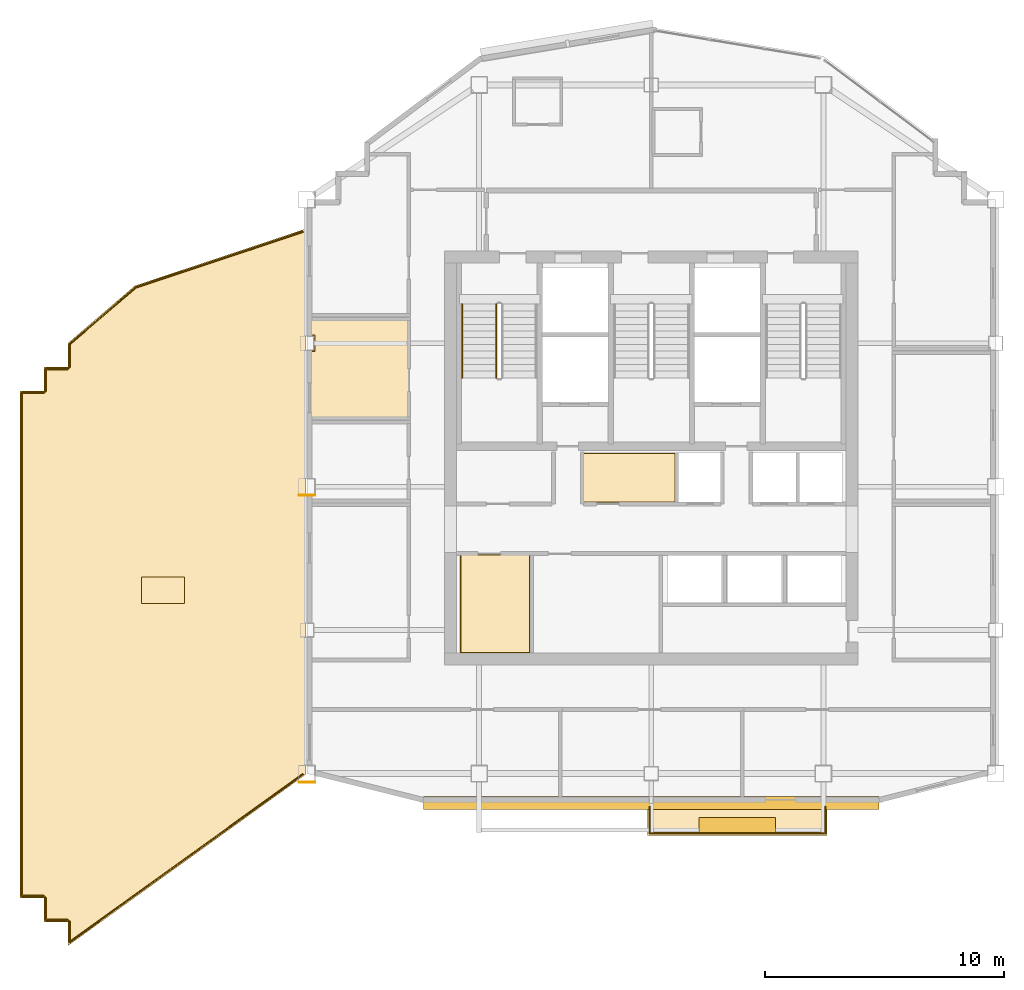
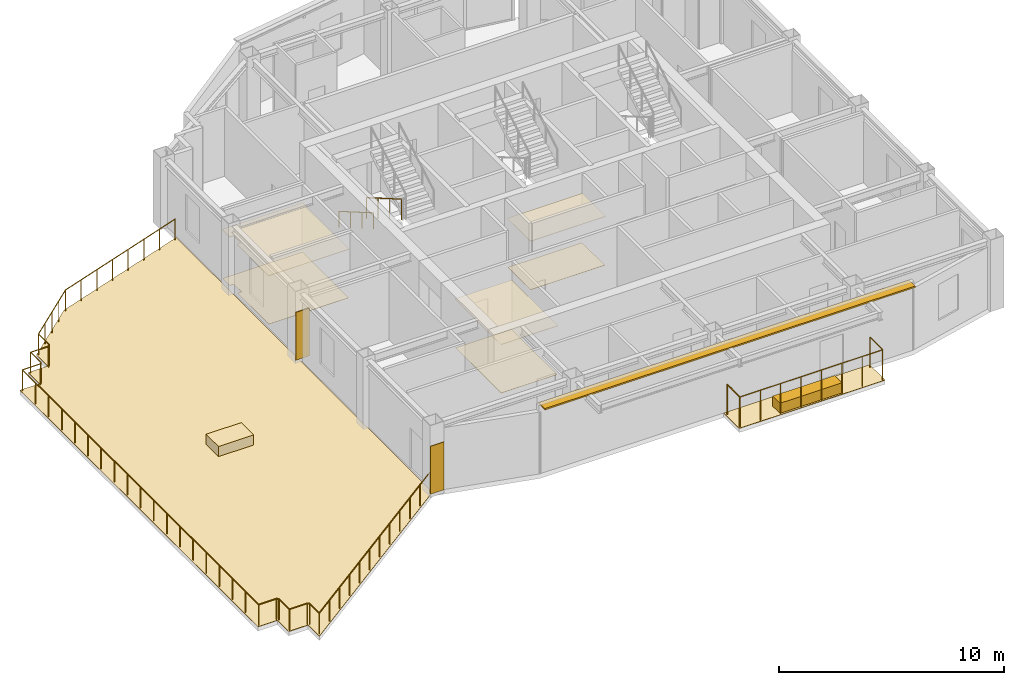
# One storey, part 11 of 12: 12 coverings, 6 railings, 1 shading device.
"""IFC4 building model written with IfcOpenShell, lengths in metres."""

import ifcopenshell
import ifcopenshell.guid

model = None  # the IFC model being written
_history = None  # IfcOwnerHistory: only IFC2X3 demands one
_inside = {}  # id of a spatial element -> (the spatial element, [elements in it])
_under = {}  # id of a project, library or spatial element -> (it, [spatial elements below it])
_declared = {}  # id of a project -> (the project, [libraries it declares])
_typed = {}  # id of a type object -> (the type object, [elements of that type])
_made_of = {}  # id of a material, layer set ... -> (it, [elements and type objects made of it])


def new_model(schema):
    """Start an empty IFC model of exactly this schema.

    Asked for "IFC4X3", IfcOpenShell would pick the latest addendum, in which some entities
    have other attributes; the version numbers below select the first issue.
    IFC2X3 requires an IfcOwnerHistory on every rooted entity: one is made here for all.
    """
    global model, _history
    if schema == "IFC4X3":
        model = ifcopenshell.file(schema_version=(4, 3, 0, 0))
    else:
        model = ifcopenshell.file(schema=schema)
    _inside.clear()
    _under.clear()
    _declared.clear()
    _typed.clear()
    _made_of.clear()
    _history = None
    if model.schema == "IFC2X3":
        org = make("IfcOrganization", Name="unknown")
        user = make(
            "IfcPersonAndOrganization",
            ThePerson=make("IfcPerson", FamilyName="unknown"),
            TheOrganization=org,
        )
        app = make(
            "IfcApplication",
            ApplicationDeveloper=org,
            Version="unknown",
            ApplicationFullName="unknown",
            ApplicationIdentifier="unknown",
        )
        _history = make(
            "IfcOwnerHistory",
            OwningUser=user,
            OwningApplication=app,
            ChangeAction="ADDED",
            CreationDate=0,
        )
    return model


def make(cls, **values):
    """One entity of the class cls with the attributes given. An attribute that is None is left unset."""
    return model.create_entity(
        cls, **{name: value for name, value in values.items() if value is not None}
    )


def rooted(cls, **values):
    """An entity with a GlobalId (a new one), such as an element, a storey or a relation."""
    return make(cls, GlobalId=ifcopenshell.guid.new(), OwnerHistory=_history, **values)


def si_unit(unit_type, name, prefix=None):
    """IfcSIUnit, for example si_unit("LENGTHUNIT", "METRE", prefix="MILLI")."""
    return make("IfcSIUnit", UnitType=unit_type, Prefix=prefix, Name=name)


def assignment(units):
    """IfcUnitAssignment: the units of a project."""
    return None if units is None else make("IfcUnitAssignment", Units=units)


def point(xyz):
    """IfcCartesianPoint."""
    return None if xyz is None else make("IfcCartesianPoint", Coordinates=xyz)


def direction(xyz):
    """IfcDirection."""
    return None if xyz is None else make("IfcDirection", DirectionRatios=xyz)


def frame(location, z_axis=None, x_axis=None):
    """IfcAxis2Placement3D, a coordinate frame: its origin and axes. An axis left out is left unset."""
    return make(
        "IfcAxis2Placement3D",
        Location=point(location),
        Axis=direction(z_axis),
        RefDirection=direction(x_axis),
    )


def frame_2d(location, x_axis=None):
    """IfcAxis2Placement2D, a coordinate frame in the plane: its origin and x axis."""
    return make(
        "IfcAxis2Placement2D", Location=point(location), RefDirection=direction(x_axis)
    )


def origin():
    """The frame at (0, 0, 0) with its axes left unset."""
    return frame((0.0, 0.0, 0.0))


def origin_2d():
    """The frame at (0, 0) in the plane with its x axis left unset."""
    return frame_2d((0.0, 0.0))


def place(relative_to, where):
    """IfcLocalPlacement: puts the frame where relative to a parent placement (None: the world)."""
    return make(
        "IfcLocalPlacement", PlacementRelTo=relative_to, RelativePlacement=where
    )


def context(
    kind, dimensions, precision=None, world=None, true_north=None, identifier=None
):
    """IfcGeometricRepresentationContext, for example the 3D "Model" context."""
    return make(
        "IfcGeometricRepresentationContext",
        ContextIdentifier=identifier,
        ContextType=kind,
        CoordinateSpaceDimension=dimensions,
        Precision=precision,
        WorldCoordinateSystem=world,
        TrueNorth=true_north,
    )


def subcontext(parent, identifier, kind, view, scale=None):
    """IfcGeometricRepresentationSubContext, for example "Body" below "Model"."""
    return make(
        "IfcGeometricRepresentationSubContext",
        ContextIdentifier=identifier,
        ContextType=kind,
        ParentContext=parent,
        TargetScale=scale,
        TargetView=view,
    )


def project(units=None, contexts=None):
    """IfcProject with its units and contexts."""
    return rooted(
        "IfcProject",
        Name="project",
        RepresentationContexts=contexts,
        UnitsInContext=assignment(units),
    )


def spatial(cls, under=None, at=None, **own):
    """A site, building, storey or space (cls), placed at a placement, below another one or the project."""
    s = rooted(cls, ObjectPlacement=at, **own)
    if under is not None:
        _under.setdefault(under.id(), (under, []))[1].append(s)
    return s


def polyline(points):
    """IfcPolyline through the points."""
    return make("IfcPolyline", Points=[point(p) for p in points])


def profile(cls, at=None, kind="AREA", **sizes):
    """A parametric profile (cls). Its sizes go by their IFC names, for example OverallWidth=200.0."""
    return make(cls, ProfileType=kind, Position=at, **sizes)


def rectangle(**sizes):
    """IfcRectangleProfileDef."""
    return profile("IfcRectangleProfileDef", **sizes)


def circle(**sizes):
    """IfcCircleProfileDef."""
    return profile("IfcCircleProfileDef", **sizes)


def outline(outer, holes=None, kind="AREA"):
    """IfcArbitraryClosedProfileDef: a profile drawn as a closed curve; with holes, ...WithVoids."""
    if holes is None:
        return make("IfcArbitraryClosedProfileDef", ProfileType=kind, OuterCurve=outer)
    return make(
        "IfcArbitraryProfileDefWithVoids",
        ProfileType=kind,
        OuterCurve=outer,
        InnerCurves=holes,
    )


def extrude(swept, where, along, depth):
    """IfcExtrudedAreaSolid: the profile swept, set in the frame where, extruded along a direction by depth."""
    return make(
        "IfcExtrudedAreaSolid",
        SweptArea=swept,
        Position=where,
        ExtrudedDirection=direction(along),
        Depth=depth,
    )


def shape(context_of_items, identifier, shape_type, items):
    """IfcShapeRepresentation: the items that make up one representation, for example the "Body"."""
    return make(
        "IfcShapeRepresentation",
        ContextOfItems=context_of_items,
        RepresentationIdentifier=identifier,
        RepresentationType=shape_type,
        Items=items,
    )


def material(Name=None, Category=None):
    """IfcMaterial."""
    return make("IfcMaterial", Name=Name, Category=Category)


def layer(
    of_material, thickness, ventilated=None, Name=None, Category=None, Priority=None
):
    """IfcMaterialLayer: one layer of a wall or slab, of a material (None: an air gap)."""
    return make(
        "IfcMaterialLayer",
        Material=of_material,
        LayerThickness=thickness,
        IsVentilated=ventilated,
        Name=Name,
        Category=Category,
        Priority=Priority,
    )


def layer_set(layers, Name=None):
    """IfcMaterialLayerSet."""
    return make("IfcMaterialLayerSet", MaterialLayers=layers, LayerSetName=Name)


def made_of(thing, what):
    """Note that an element or type object is made of a material, layer set ...; save() writes the relation."""
    if what is not None:
        _made_of.setdefault(what.id(), (what, []))[1].append(thing)
    return thing


def type_object(cls, material=None, **own):
    """A type object (cls), such as IfcWallType, which elements share."""
    return made_of(rooted(cls, **own), material)


def element(
    cls,
    number,
    at=None,
    inside=None,
    cuts=None,
    type_object=None,
    material=None,
    context=None,
    identifier="Body",
    shape_type=None,
    held_by="IfcProductDefinitionShape",
    body=None,
    shapes=None,
    **own,
):
    """One element of the class cls, such as IfcWall. Its Tag is "e" and its number.

    at: its placement. inside: the storey or other place that contains it. cuts: it is an
    opening in that element (IfcRelVoidsElement). A single representation is given by context,
    identifier, shape_type and body (its items); several are given by shapes. held_by: the class
    of the entity that holds the representations. save() writes the other relations.
    """
    e = rooted(cls, Tag="e%d" % number, ObjectPlacement=at, **own)
    if body is not None:
        shapes = [shape(context, identifier, shape_type, body)]
    if shapes is not None:
        e.Representation = make(held_by, Representations=shapes)
    if inside is not None:
        _inside.setdefault(inside.id(), (inside, []))[1].append(e)
    if cuts is not None:
        rooted(
            "IfcRelVoidsElement", RelatingBuildingElement=cuts, RelatedOpeningElement=e
        )
    if type_object is not None:
        _typed.setdefault(type_object.id(), (type_object, []))[1].append(e)
    return made_of(e, material)


def aggregate(whole, parts):
    """IfcRelAggregates: a whole, such as a stair, and the parts it consists of."""
    return rooted("IfcRelAggregates", RelatingObject=whole, RelatedObjects=parts)


def save(model, path):
    """Write the relations noted so far, then the file.

    IfcRelAggregates (storeys below a building ...), IfcRelContainedInSpatialStructure (elements
    in a storey), IfcRelDefinesByType, IfcRelAssociatesMaterial and IfcRelDeclares: one each for
    every whole, place, type object, material and project.
    """
    for whole, parts in _under.values():
        aggregate(whole, parts)
    for where, things in _inside.values():
        rooted(
            "IfcRelContainedInSpatialStructure",
            RelatedElements=things,
            RelatingStructure=where,
        )
    for kind, things in _typed.values():
        rooted("IfcRelDefinesByType", RelatedObjects=things, RelatingType=kind)
    for what, things in _made_of.values():
        rooted("IfcRelAssociatesMaterial", RelatedObjects=things, RelatingMaterial=what)
    for by, libraries in _declared.values():
        rooted("IfcRelDeclares", RelatingContext=by, RelatedDefinitions=libraries)
    model.write(path)


model = new_model("IFC4")

# Units and contexts
model_context = context("Model", 3, precision=1e-05, world=origin(), true_north=direction((0.0, 1.0)))
body_context = subcontext(model_context, "Body", "Model", "MODEL_VIEW")
ifc_project = project(units=[si_unit("LENGTHUNIT", "METRE"), si_unit("AREAUNIT", "SQUARE_METRE"), si_unit("VOLUMEUNIT", "CUBIC_METRE"), si_unit("PLANEANGLEUNIT", "RADIAN"), si_unit("MASSUNIT", "GRAM", prefix="KILO")], contexts=[model_context])

# Site, building, storey
site_placement = place(None, origin())
site = spatial("IfcSite", under=ifc_project, at=site_placement, CompositionType="ELEMENT")
building_placement = place(site_placement, origin())
building = spatial("IfcBuilding", under=site, at=building_placement, Name="Haolan Belvedere Tower", CompositionType="ELEMENT")
storey_placement = place(building_placement, frame((0.0, 0.0, 282.199951171875)))
storey = spatial("IfcBuildingStorey", under=building, at=storey_placement, Name="L71", CompositionType="ELEMENT", Elevation=282.199951171875)

# Coverings
ifc_material_1 = material(Name="Acoustic mineral-fibre suspended ceiling system", Category="masonry")
ifc_layer_1 = layer(ifc_material_1, 0.02490234375, Name="Acoustic mineral-fibre suspended ceiling system")
ifc_layer_set_1 = layer_set([ifc_layer_1], Name="Acoustic mineral-fibre suspended ceiling system")
covering_type_1 = type_object("IfcCoveringType", Name="COV-CEIL-AC25", PredefinedType="CEILING", material=ifc_layer_set_1)
covering_1_placement = place(storey_placement, frame((0.0, 0.0, 2.650146484375)))
element("IfcCovering", 1, at=covering_1_placement, inside=storey, type_object=covering_type_1, Name="L71 suspended acoustic ceiling L71-REUSE-PL-E.1", PredefinedType="CEILING", context=body_context, shape_type="SweptSolid", body=[
    extrude(outline(polyline([(35.548095703125, 32.93798828125), (39.412109375, 32.93798828125), (39.412109375, 35.011962890625), (35.548095703125, 35.011962890625), (35.548095703125, 32.93798828125)])), origin(), (0.0, 0.0, 1.0), 0.02490234375),
])
covering_2_placement = place(storey_placement, frame((0.0, 0.0, 2.650146484375)))
element("IfcCovering", 2, at=covering_2_placement, inside=storey, type_object=covering_type_1, Name="L71 suspended acoustic ceiling L71-REUSE-PM-A.2", PredefinedType="CEILING", context=body_context, shape_type="SweptSolid", body=[
    extrude(outline(polyline([(30.407958984375, 26.64794921875), (33.33203125, 26.64794921875), (33.33203125, 30.761962890625), (30.407958984375, 30.761962890625), (30.407958984375, 26.64794921875)])), origin(), (0.0, 0.0, 1.0), 0.02490234375),
])
covering_3_placement = place(storey_placement, frame((0.0, 0.0, 2.650146484375)))
element("IfcCovering", 3, at=covering_3_placement, inside=storey, type_object=covering_type_1, Name="L71 suspended acoustic ceiling L71-PNT.3", PredefinedType="CEILING", context=body_context, shape_type="SweptSolid", body=[
    extrude(outline(polyline([(24.117919921875, 39.9150390625), (24.31494140625, 39.9150390625), (24.31494140625, 39.284912109375), (24.117919921875, 39.284912109375), (24.117919921875, 36.447998046875), (28.27197265625, 36.447998046875), (28.27197265625, 40.612060546875), (24.117919921875, 40.612060546875), (24.117919921875, 39.9150390625)])), origin(), (0.0, 0.0, 1.0), 0.02490234375),
])
ifc_material_2 = material(Name="Pale champagne-silver anodised aluminium rainscreen cladding", Category="aluminium")
ifc_layer_2 = layer(ifc_material_2, 0.034912109375, Name="Pale champagne-silver anodised aluminium rainscreen cladding")
ifc_layer_set_2 = layer_set([ifc_layer_2], Name="Pale champagne-silver anodised aluminium rainscreen cladding")
covering_type_2 = type_object("IfcCoveringType", Name="COV-CLAD-35", PredefinedType="CLADDING", material=ifc_layer_set_2)
for number, where, z_axis, x_axis, name in (
    (4, (24.0, 21.235107421875, 0.199951171875), (0.0, 0.0, 1.0), (1.0, 0.0, 0.0), "L71 pale-metal pier rainscreen cladding 1"),
    (5, (24.0, 33.235107421875, 0.199951171875), (0.0, 0.0, 1.0), (1.0, 0.0, 0.0), "L71 pale-metal pier rainscreen cladding 2"),
):
    element("IfcCovering", number, at=place(storey_placement, frame(where, z_axis=z_axis, x_axis=x_axis)), inside=storey, type_object=covering_type_2, Name=name, PredefinedType="CLADDING", context=body_context, shape_type="SweptSolid", body=[
        extrude(rectangle(XDim=0.699951171875, YDim=0.034912109375, at=origin_2d()), origin(), (0.0, 0.0, 1.0), 2.60009765625),
    ])
ifc_material_3 = material(Name="Honed terrazzo and natural granite stone flooring", Category="masonry")
ifc_layer_3 = layer(ifc_material_3, 0.014892578125, Name="Honed terrazzo and natural granite stone flooring")
ifc_layer_set_3 = layer_set([ifc_layer_3], Name="Honed terrazzo and natural granite stone flooring")
covering_type_3 = type_object("IfcCoveringType", Name="COV-FLR-STN30", PredefinedType="FLOORING", material=ifc_layer_set_3)
covering_4_placement = place(storey_placement, origin())
element("IfcCovering", 6, at=covering_4_placement, inside=storey, type_object=covering_type_3, Name="L71 polished stone floor finish L71-REUSE-PL-E.1", PredefinedType="FLOORING", context=body_context, shape_type="SweptSolid", body=[
    extrude(outline(polyline([(39.386962890625, 32.962890625), (39.386962890625, 34.987060546875), (35.572998046875, 34.987060546875), (35.572998046875, 32.962890625), (39.386962890625, 32.962890625)])), origin(), (0.0, 0.0, 1.0), 0.01513671875),
])
covering_5_placement = place(storey_placement, origin())
element("IfcCovering", 7, at=covering_5_placement, inside=storey, type_object=covering_type_3, Name="L71 polished stone floor finish L71-REUSE-PM-A.2", PredefinedType="FLOORING", context=body_context, shape_type="SweptSolid", body=[
    extrude(outline(polyline([(33.306884765625, 26.673095703125), (33.306884765625, 30.737060546875), (30.43310546875, 30.737060546875), (30.43310546875, 26.673095703125), (33.306884765625, 26.673095703125)])), origin(), (0.0, 0.0, 1.0), 0.01513671875),
])
covering_6_placement = place(storey_placement, origin())
element("IfcCovering", 8, at=covering_6_placement, inside=storey, type_object=covering_type_3, Name="L71 polished stone floor finish L71-PNT.3", PredefinedType="FLOORING", context=body_context, shape_type="SweptSolid", body=[
    extrude(outline(polyline([(24.340087890625, 39.93994140625), (24.340087890625, 39.260009765625), (24.14306640625, 39.260009765625), (24.14306640625, 36.472900390625), (28.2470703125, 36.472900390625), (28.2470703125, 40.5869140625), (24.14306640625, 40.5869140625), (24.14306640625, 39.93994140625), (24.340087890625, 39.93994140625)])), origin(), (0.0, 0.0, 1.0), 0.01513671875),
])
ifc_material_4 = material(Name="Engineered lightweight planted garden soil substrate", Category="masonry")
ifc_layer_4 = layer(ifc_material_4, 0.550048828125, Name="Engineered lightweight planted garden soil substrate")
ifc_layer_set_4 = layer_set([ifc_layer_4], Name="Engineered lightweight planted garden soil substrate")
covering_type_4 = type_object("IfcCoveringType", Name="COV-PLANT-550", PredefinedType="MEMBRANE", material=ifc_layer_set_4)
covering_7_placement = place(storey_placement, frame((17.97509765625, 29.26171875, 0.0), z_axis=(0.0, 0.0, 1.0), x_axis=(1.0, 0.0, 0.0)))
element("IfcCovering", 9, at=covering_7_placement, inside=storey, type_object=covering_type_4, Name="L71 cascade garden terrace PLANTER bed 1", PredefinedType="MEMBRANE", context=body_context, shape_type="SweptSolid", body=[
    extrude(rectangle(XDim=1.800048828125, YDim=1.10009765625, at=origin_2d()), origin(), (0.0, 0.0, 1.0), 0.550048828125),
])
covering_8_placement = place(storey_placement, frame((42.0, 19.43994140625, 0.0), z_axis=(0.0, 0.0, 1.0), x_axis=(1.0, 0.0, 0.0)))
element("IfcCovering", 10, at=covering_8_placement, inside=storey, type_object=covering_type_4, Name="L71 structural tree balcony PLANTER box 1", PredefinedType="MEMBRANE", context=body_context, shape_type="SweptSolid", body=[
    extrude(rectangle(XDim=3.199951171875, YDim=0.64990234375, at=origin_2d()), origin(), (0.0, 0.0, 1.0), 0.550048828125),
])
ifc_material_5 = material(Name="Elastomeric waterproof roofing membrane and stone pavers", Category="masonry")
ifc_layer_5 = layer(ifc_material_5, 0.02001953125, Name="Elastomeric waterproof roofing membrane and stone pavers")
ifc_layer_set_5 = layer_set([ifc_layer_5], Name="Elastomeric waterproof roofing membrane and stone pavers")
covering_type_5 = type_object("IfcCoveringType", Name="COV-ROOF-20", PredefinedType="ROOFING", material=ifc_layer_set_5)
covering_9_placement = place(storey_placement, frame((0.0, 0.0, -0.02001953125)))
element("IfcCovering", 11, at=covering_9_placement, inside=storey, type_object=covering_type_5, Name="L71 garden terrace waterproof roofing paver 1", PredefinedType="ROOFING", context=body_context, shape_type="SweptSolid", body=[
    extrude(outline(polyline([(13.0, 16.396240234375), (13.0, 15.39990234375), (13.996337890625, 15.39990234375), (13.999755859375, 15.39990234375), (14.0, 15.396240234375), (14.0, 14.39990234375), (23.949951171875, 21.56396484375), (23.949951171875, 44.38330078125), (16.800048828125, 42.0), (14.0, 39.60009765625), (14.0, 38.603759765625), (13.999755859375, 38.60009765625), (13.996337890625, 38.60009765625), (13.0, 38.60009765625), (13.0, 37.603759765625), (12.999755859375, 37.60009765625), (12.996337890625, 37.60009765625), (12.0, 37.60009765625), (12.0, 16.39990234375), (12.996337890625, 16.39990234375), (12.999755859375, 16.39990234375), (13.0, 16.396240234375)])), origin(), (0.0, 0.0, 1.0), 0.02001953125),
])
covering_10_placement = place(storey_placement, frame((0.0, 0.0, -0.02001953125)))
element("IfcCovering", 12, at=covering_10_placement, inside=storey, type_object=covering_type_5, Name="L71 tree-balcony waterproof membrane 1", PredefinedType="ROOFING", context=body_context, shape_type="SweptSolid", body=[
    extrude(outline(polyline([(38.25, 19.02001953125), (45.75, 19.02001953125), (45.75, 20.39990234375), (38.25, 20.39990234375), (38.25, 19.02001953125)])), origin(), (0.0, 0.0, 1.0), 0.02001953125),
])

# Railings
ifc_material_6 = material(Name="Brushed stainless steel 304", Category="steel")
railing_type_1 = type_object("IfcRailingType", Name="RL-STAIR-GRD-1150", PredefinedType="GUARDRAIL", material=ifc_material_6)
railing_1_placement = place(storey_placement, frame((31.919921875, 41.22998046875, 0.16259765625)))
element("IfcRailing", 13, at=railing_1_placement, inside=storey, type_object=railing_type_1, Name="L71 ST1 stair guard 1", PredefinedType="GUARDRAIL", context=body_context, shape_type="SweptSolid", body=[
    extrude(circle(Radius=0.02392578125, at=origin_2d()), frame((0.0, 0.0, 1.1259765625), z_axis=(0.0, -0.864920483161, 0.501908913857), x_axis=(1.0, 0.0, 0.0)), (0.0, 0.0, 1.0), 3.56103515625),
    extrude(circle(Radius=0.02099609375, at=origin_2d()), origin(), (0.0, 0.0, 1.0), 1.101806640625),
    extrude(circle(Radius=0.02099609375, at=origin_2d()), frame((0.0, -1.026611328125, 0.595703125)), (0.0, 0.0, 1.0), 1.101806640625),
    extrude(circle(Radius=0.02099609375, at=origin_2d()), frame((0.0, -2.053466796875, 1.191650390625)), (0.0, 0.0, 1.0), 1.101806640625),
    extrude(circle(Radius=0.02099609375, at=origin_2d()), frame((0.0, -3.080078125, 1.787353515625)), (0.0, 0.0, 1.0), 1.101806640625),
])
railing_type_2 = type_object("IfcRailingType", Name="RL-STAIR-HND-900", PredefinedType="HANDRAIL", material=ifc_material_6)
railing_2_placement = place(storey_placement, frame((30.5, 41.22998046875, 0.16259765625)))
element("IfcRailing", 14, at=railing_2_placement, inside=storey, type_object=railing_type_2, Name="L71 ST1 stair handrail 1", PredefinedType="HANDRAIL", context=body_context, shape_type="SweptSolid", body=[
    extrude(circle(Radius=0.02392578125, at=origin_2d()), frame((0.0, 0.0, 0.8759765625), z_axis=(0.0, -0.864920483161, 0.501908913857), x_axis=(1.0, 0.0, 0.0)), (0.0, 0.0, 1.0), 3.56103515625),
    extrude(circle(Radius=0.02099609375, at=origin_2d()), origin(), (0.0, 0.0, 1.0), 0.851806640625),
    extrude(circle(Radius=0.02099609375, at=origin_2d()), frame((0.0, -1.026611328125, 0.595703125)), (0.0, 0.0, 1.0), 0.851806640625),
    extrude(circle(Radius=0.02099609375, at=origin_2d()), frame((0.0, -2.053466796875, 1.191650390625)), (0.0, 0.0, 1.0), 0.851806640625),
    extrude(circle(Radius=0.02099609375, at=origin_2d()), frame((0.0, -3.080078125, 1.787353515625)), (0.0, 0.0, 1.0), 0.851806640625),
])
ifc_material_7 = material(Name="Anodised aluminium and laminated glass balustrade", Category="aluminium")
railing_type_3 = type_object("IfcRailingType", Name="RL-TER-BAL-1150", PredefinedType="BALUSTRADE", material=ifc_material_7)
railing_3_placement = place(storey_placement, frame((13.080078125, 16.398681640625, 0.0)))
element("IfcRailing", 15, at=railing_3_placement, inside=storey, type_object=railing_type_3, Name="L71 outdoor perimeter balustrade TERR-L71-1-1", PredefinedType="BALUSTRADE", context=body_context, shape_type="SweptSolid", body=[
    extrude(circle(Radius=0.02392578125, at=origin_2d()), frame((0.0, 0.0, 1.1259765625), z_axis=(-0.708166115403, 0.706045857572, 0.0), x_axis=(-0.706045857572, -0.708166115403, 0.0)), (0.0, 0.0, 1.0), 0.115234375),
    extrude(circle(Radius=0.02392578125, at=origin_2d()), frame((-0.08154296875, 0.081298828125, 1.1259765625), z_axis=(-1.0, 0.0, 0.0), x_axis=(0.0, -1.0, 0.0)), (0.0, 0.0, 1.0), 0.91845703125),
    extrude(circle(Radius=0.02392578125, at=origin_2d()), frame((-1.0, 0.081298828125, 1.1259765625), z_axis=(0.0, 1.0, 0.0), x_axis=(-1.0, 0.0, 0.0)), (0.0, 0.0, 1.0), 21.0400390625),
    extrude(circle(Radius=0.02392578125, at=origin_2d()), frame((-1.0, 21.121337890625, 1.1259765625), z_axis=(1.0, 0.0, 0.0), x_axis=(0.0, 1.0, 0.0)), (0.0, 0.0, 1.0), 0.91845703125),
    extrude(circle(Radius=0.02392578125, at=origin_2d()), frame((-0.08154296875, 21.121337890625, 1.1259765625), z_axis=(0.708166115403, 0.706045857572, 0.0), x_axis=(-0.706045857572, 0.708166115403, 0.0)), (0.0, 0.0, 1.0), 0.115234375),
    extrude(circle(Radius=0.02392578125, at=origin_2d()), frame((0.0, 21.20263671875, 1.1259765625), z_axis=(0.0, 1.0, 0.0), x_axis=(-1.0, 0.0, 0.0)), (0.0, 0.0, 1.0), 0.918701171875),
    extrude(circle(Radius=0.02392578125, at=origin_2d()), frame((0.0, 22.121337890625, 1.1259765625), z_axis=(1.0, 0.0, 0.0), x_axis=(0.0, 1.0, 0.0)), (0.0, 0.0, 1.0), 0.91845703125),
    extrude(circle(Radius=0.02392578125, at=origin_2d()), frame((0.91845703125, 22.121337890625, 1.1259765625), z_axis=(0.708166115403, 0.706045857572, 0.0), x_axis=(-0.706045857572, 0.708166115403, 0.0)), (0.0, 0.0, 1.0), 0.115234375),
    extrude(circle(Radius=0.02392578125, at=origin_2d()), frame((1.0, 22.20263671875, 1.1259765625), z_axis=(0.0, 1.0, 0.0), x_axis=(-1.0, 0.0, 0.0)), (0.0, 0.0, 1.0), 0.9619140625),
    extrude(circle(Radius=0.02392578125, at=origin_2d()), frame((1.0, 23.16455078125, 1.1259765625), z_axis=(0.759223417328, 0.650830087335, 0.0), x_axis=(-0.650830087335, 0.759223417328, 0.0)), (0.0, 0.0, 1.0), 3.63525390625),
    extrude(circle(Radius=0.02392578125, at=origin_2d()), frame((3.760009765625, 25.530517578125, 1.1259765625), z_axis=(0.948693252389, 0.316197901435, 0.0), x_axis=(-0.316197901435, 0.948693252389, 0.0)), (0.0, 0.0, 1.0), 7.357421875),
    extrude(circle(Radius=0.02099609375, at=origin_2d()), origin(), (0.0, 0.0, 1.0), 1.101806640625),
    extrude(circle(Radius=0.02099609375, at=origin_2d()), frame((-0.08154296875, 0.081298828125, 0.0)), (0.0, 0.0, 1.0), 1.101806640625),
    extrude(circle(Radius=0.02099609375, at=origin_2d()), frame((-1.0, 0.081298828125, 0.0)), (0.0, 0.0, 1.0), 1.101806640625),
    extrude(circle(Radius=0.02099609375, at=origin_2d()), frame((-1.0, 1.250244140625, 0.0)), (0.0, 0.0, 1.0), 1.101806640625),
    extrude(circle(Radius=0.02099609375, at=origin_2d()), frame((-1.0, 2.419189453125, 0.0)), (0.0, 0.0, 1.0), 1.101806640625),
    extrude(circle(Radius=0.02099609375, at=origin_2d()), frame((-1.0, 3.587890625, 0.0)), (0.0, 0.0, 1.0), 1.101806640625),
    extrude(circle(Radius=0.02099609375, at=origin_2d()), frame((-1.0, 4.7568359375, 0.0)), (0.0, 0.0, 1.0), 1.101806640625),
    extrude(circle(Radius=0.02099609375, at=origin_2d()), frame((-1.0, 5.92578125, 0.0)), (0.0, 0.0, 1.0), 1.101806640625),
    extrude(circle(Radius=0.02099609375, at=origin_2d()), frame((-1.0, 7.0947265625, 0.0)), (0.0, 0.0, 1.0), 1.101806640625),
    extrude(circle(Radius=0.02099609375, at=origin_2d()), frame((-1.0, 8.263427734375, 0.0)), (0.0, 0.0, 1.0), 1.101806640625),
    extrude(circle(Radius=0.02099609375, at=origin_2d()), frame((-1.0, 9.432373046875, 0.0)), (0.0, 0.0, 1.0), 1.101806640625),
    extrude(circle(Radius=0.02099609375, at=origin_2d()), frame((-1.0, 10.601318359375, 0.0)), (0.0, 0.0, 1.0), 1.101806640625),
    extrude(circle(Radius=0.02099609375, at=origin_2d()), frame((-1.0, 11.770263671875, 0.0)), (0.0, 0.0, 1.0), 1.101806640625),
    extrude(circle(Radius=0.02099609375, at=origin_2d()), frame((-1.0, 12.939208984375, 0.0)), (0.0, 0.0, 1.0), 1.101806640625),
    extrude(circle(Radius=0.02099609375, at=origin_2d()), frame((-1.0, 14.10791015625, 0.0)), (0.0, 0.0, 1.0), 1.101806640625),
    extrude(circle(Radius=0.02099609375, at=origin_2d()), frame((-1.0, 15.27685546875, 0.0)), (0.0, 0.0, 1.0), 1.101806640625),
    extrude(circle(Radius=0.02099609375, at=origin_2d()), frame((-1.0, 16.44580078125, 0.0)), (0.0, 0.0, 1.0), 1.101806640625),
    extrude(circle(Radius=0.02099609375, at=origin_2d()), frame((-1.0, 17.61474609375, 0.0)), (0.0, 0.0, 1.0), 1.101806640625),
    extrude(circle(Radius=0.02099609375, at=origin_2d()), frame((-1.0, 18.783447265625, 0.0)), (0.0, 0.0, 1.0), 1.101806640625),
    extrude(circle(Radius=0.02099609375, at=origin_2d()), frame((-1.0, 19.952392578125, 0.0)), (0.0, 0.0, 1.0), 1.101806640625),
    extrude(circle(Radius=0.02099609375, at=origin_2d()), frame((-1.0, 21.121337890625, 0.0)), (0.0, 0.0, 1.0), 1.101806640625),
    extrude(circle(Radius=0.02099609375, at=origin_2d()), frame((-0.08154296875, 21.121337890625, 0.0)), (0.0, 0.0, 1.0), 1.101806640625),
    extrude(circle(Radius=0.02099609375, at=origin_2d()), frame((0.0, 21.20263671875, 0.0)), (0.0, 0.0, 1.0), 1.101806640625),
    extrude(circle(Radius=0.02099609375, at=origin_2d()), frame((0.0, 22.121337890625, 0.0)), (0.0, 0.0, 1.0), 1.101806640625),
    extrude(circle(Radius=0.02099609375, at=origin_2d()), frame((0.91845703125, 22.121337890625, 0.0)), (0.0, 0.0, 1.0), 1.101806640625),
    extrude(circle(Radius=0.02099609375, at=origin_2d()), frame((1.0, 22.20263671875, 0.0)), (0.0, 0.0, 1.0), 1.101806640625),
    extrude(circle(Radius=0.02099609375, at=origin_2d()), frame((1.0, 23.16455078125, 0.0)), (0.0, 0.0, 1.0), 1.101806640625),
    extrude(circle(Radius=0.02099609375, at=origin_2d()), frame((1.68994140625, 23.756103515625, 0.0)), (0.0, 0.0, 1.0), 1.101806640625),
    extrude(circle(Radius=0.02099609375, at=origin_2d()), frame((2.3798828125, 24.34765625, 0.0)), (0.0, 0.0, 1.0), 1.101806640625),
    extrude(circle(Radius=0.02099609375, at=origin_2d()), frame((3.070068359375, 24.93896484375, 0.0)), (0.0, 0.0, 1.0), 1.101806640625),
    extrude(circle(Radius=0.02099609375, at=origin_2d()), frame((3.760009765625, 25.530517578125, 0.0)), (0.0, 0.0, 1.0), 1.101806640625),
    extrude(circle(Radius=0.02099609375, at=origin_2d()), frame((4.757080078125, 25.86279296875, 0.0)), (0.0, 0.0, 1.0), 1.101806640625),
    extrude(circle(Radius=0.02099609375, at=origin_2d()), frame((5.75439453125, 26.1953125, 0.0)), (0.0, 0.0, 1.0), 1.101806640625),
    extrude(circle(Radius=0.02099609375, at=origin_2d()), frame((6.75146484375, 26.527587890625, 0.0)), (0.0, 0.0, 1.0), 1.101806640625),
    extrude(circle(Radius=0.02099609375, at=origin_2d()), frame((7.74853515625, 26.85986328125, 0.0)), (0.0, 0.0, 1.0), 1.101806640625),
    extrude(circle(Radius=0.02099609375, at=origin_2d()), frame((8.74560546875, 27.192138671875, 0.0)), (0.0, 0.0, 1.0), 1.101806640625),
    extrude(circle(Radius=0.02099609375, at=origin_2d()), frame((9.742919921875, 27.524658203125, 0.0)), (0.0, 0.0, 1.0), 1.101806640625),
    extrude(circle(Radius=0.02099609375, at=origin_2d()), frame((10.739990234375, 27.85693359375, 0.0)), (0.0, 0.0, 1.0), 1.101806640625),
])
railing_4_placement = place(storey_placement, frame((23.820068359375, 21.569091796875, 0.0)))
element("IfcRailing", 16, at=railing_4_placement, inside=storey, type_object=railing_type_3, Name="L71 outdoor perimeter balustrade TERR-L71-1-2", PredefinedType="BALUSTRADE", context=body_context, shape_type="SweptSolid", body=[
    extrude(circle(Radius=0.02392578125, at=origin_2d()), frame((0.0, 0.0, 1.1259765625), z_axis=(-0.81152855402, -0.584312763861, 0.0), x_axis=(0.584312763861, -0.81152855402, 0.0)), (0.0, 0.0, 1.0), 12.001953125),
    extrude(circle(Radius=0.02392578125, at=origin_2d()), frame((-9.739990234375, -7.012939453125, 1.1259765625), z_axis=(0.0, 1.0, 0.0), x_axis=(-1.0, 0.0, 0.0)), (0.0, 0.0, 1.0), 0.842529296875),
    extrude(circle(Radius=0.02392578125, at=origin_2d()), frame((-9.739990234375, -6.17041015625, 1.1259765625), z_axis=(-0.708166115403, 0.706045857572, 0.0), x_axis=(-0.706045857572, -0.708166115403, 0.0)), (0.0, 0.0, 1.0), 0.115234375),
    extrude(circle(Radius=0.02392578125, at=origin_2d()), frame((-9.821533203125, -6.089111328125, 1.1259765625), z_axis=(-1.0, 0.0, 0.0), x_axis=(0.0, -1.0, 0.0)), (0.0, 0.0, 1.0), 0.91845703125),
    extrude(circle(Radius=0.02392578125, at=origin_2d()), frame((-10.739990234375, -6.089111328125, 1.1259765625), z_axis=(0.0, 1.0, 0.0), x_axis=(-1.0, 0.0, 0.0)), (0.0, 0.0, 1.0), 0.918701171875),
    extrude(circle(Radius=0.02099609375, at=origin_2d()), origin(), (0.0, 0.0, 1.0), 1.101806640625),
    extrude(circle(Radius=0.02099609375, at=origin_2d()), frame((-0.885498046875, -0.637451171875, 0.0)), (0.0, 0.0, 1.0), 1.101806640625),
    extrude(circle(Radius=0.02099609375, at=origin_2d()), frame((-1.77099609375, -1.275146484375, 0.0)), (0.0, 0.0, 1.0), 1.101806640625),
    extrude(circle(Radius=0.02099609375, at=origin_2d()), frame((-2.65625, -1.91259765625, 0.0)), (0.0, 0.0, 1.0), 1.101806640625),
    extrude(circle(Radius=0.02099609375, at=origin_2d()), frame((-3.541748046875, -2.550048828125, 0.0)), (0.0, 0.0, 1.0), 1.101806640625),
    extrude(circle(Radius=0.02099609375, at=origin_2d()), frame((-4.42724609375, -3.187744140625, 0.0)), (0.0, 0.0, 1.0), 1.101806640625),
    extrude(circle(Radius=0.02099609375, at=origin_2d()), frame((-5.312744140625, -3.8251953125, 0.0)), (0.0, 0.0, 1.0), 1.101806640625),
    extrude(circle(Radius=0.02099609375, at=origin_2d()), frame((-6.1982421875, -4.462890625, 0.0)), (0.0, 0.0, 1.0), 1.101806640625),
    extrude(circle(Radius=0.02099609375, at=origin_2d()), frame((-7.083740234375, -5.100341796875, 0.0)), (0.0, 0.0, 1.0), 1.101806640625),
    extrude(circle(Radius=0.02099609375, at=origin_2d()), frame((-7.968994140625, -5.73779296875, 0.0)), (0.0, 0.0, 1.0), 1.101806640625),
    extrude(circle(Radius=0.02099609375, at=origin_2d()), frame((-8.8544921875, -6.37548828125, 0.0)), (0.0, 0.0, 1.0), 1.101806640625),
    extrude(circle(Radius=0.02099609375, at=origin_2d()), frame((-9.739990234375, -7.012939453125, 0.0)), (0.0, 0.0, 1.0), 1.101806640625),
    extrude(circle(Radius=0.02099609375, at=origin_2d()), frame((-9.739990234375, -6.17041015625, 0.0)), (0.0, 0.0, 1.0), 1.101806640625),
    extrude(circle(Radius=0.02099609375, at=origin_2d()), frame((-9.821533203125, -6.089111328125, 0.0)), (0.0, 0.0, 1.0), 1.101806640625),
    extrude(circle(Radius=0.02099609375, at=origin_2d()), frame((-10.739990234375, -6.089111328125, 0.0)), (0.0, 0.0, 1.0), 1.101806640625),
    extrude(circle(Radius=0.02099609375, at=origin_2d()), frame((-10.739990234375, -5.17041015625, 0.0)), (0.0, 0.0, 1.0), 1.101806640625),
])
railing_5_placement = place(storey_placement, frame((38.330078125, 19.10009765625, 0.0)))
element("IfcRailing", 17, at=railing_5_placement, inside=storey, type_object=railing_type_3, Name="L71 outdoor perimeter balustrade BAL-L71-1-1", PredefinedType="BALUSTRADE", context=body_context, shape_type="SweptSolid", body=[
    extrude(circle(Radius=0.02392578125, at=origin_2d()), frame((0.0, 0.0, 1.6259765625), z_axis=(0.0, 1.0, 0.0), x_axis=(-1.0, 0.0, 0.0)), (0.0, 0.0, 1.0), 1.119873046875),
    extrude(circle(Radius=0.02099609375, at=origin_2d()), origin(), (0.0, 0.0, 1.0), 1.601806640625),
    extrude(circle(Radius=0.02099609375, at=origin_2d()), frame((0.0, 1.119873046875, 0.0)), (0.0, 0.0, 1.0), 1.601806640625),
])
railing_6_placement = place(storey_placement, frame((45.669921875, 20.219970703125, 0.0)))
element("IfcRailing", 18, at=railing_6_placement, inside=storey, type_object=railing_type_3, Name="L71 outdoor perimeter balustrade BAL-L71-1-2", PredefinedType="BALUSTRADE", context=body_context, shape_type="SweptSolid", body=[
    extrude(circle(Radius=0.02392578125, at=origin_2d()), frame((0.0, 0.0, 1.6259765625), z_axis=(0.0, -1.0, 0.0), x_axis=(1.0, 0.0, 0.0)), (0.0, 0.0, 1.0), 1.119873046875),
    extrude(circle(Radius=0.02392578125, at=origin_2d()), frame((0.0, -1.119873046875, 1.6259765625), z_axis=(-1.0, 0.0, 0.0), x_axis=(0.0, -1.0, 0.0)), (0.0, 0.0, 1.0), 7.33984375),
    extrude(circle(Radius=0.02099609375, at=origin_2d()), origin(), (0.0, 0.0, 1.0), 1.601806640625),
    extrude(circle(Radius=0.02099609375, at=origin_2d()), frame((0.0, -1.119873046875, 0.0)), (0.0, 0.0, 1.0), 1.601806640625),
    extrude(circle(Radius=0.02099609375, at=origin_2d()), frame((-1.048583984375, -1.119873046875, 0.0)), (0.0, 0.0, 1.0), 1.601806640625),
    extrude(circle(Radius=0.02099609375, at=origin_2d()), frame((-2.09716796875, -1.119873046875, 0.0)), (0.0, 0.0, 1.0), 1.601806640625),
    extrude(circle(Radius=0.02099609375, at=origin_2d()), frame((-3.145751953125, -1.119873046875, 0.0)), (0.0, 0.0, 1.0), 1.601806640625),
    extrude(circle(Radius=0.02099609375, at=origin_2d()), frame((-4.194091796875, -1.119873046875, 0.0)), (0.0, 0.0, 1.0), 1.601806640625),
    extrude(circle(Radius=0.02099609375, at=origin_2d()), frame((-5.24267578125, -1.119873046875, 0.0)), (0.0, 0.0, 1.0), 1.601806640625),
    extrude(circle(Radius=0.02099609375, at=origin_2d()), frame((-6.291259765625, -1.119873046875, 0.0)), (0.0, 0.0, 1.0), 1.601806640625),
    extrude(circle(Radius=0.02099609375, at=origin_2d()), frame((-7.33984375, -1.119873046875, 0.0)), (0.0, 0.0, 1.0), 1.601806640625),
])

# Shading device
ifc_material_8 = material(Name="Anodised champagne-silver aluminium 6063-T6", Category="aluminium")
ifc_layer_6 = layer(ifc_material_8, 0.080078125, Name="Anodised champagne-silver aluminium 6063-T6")
ifc_layer_set_6 = layer_set([ifc_layer_6], Name="Anodised champagne-silver aluminium 6063-T6")
shading_device_type = type_object("IfcShadingDeviceType", Name="SHD-SUN-550", PredefinedType="USERDEFINED", material=ifc_layer_set_6)
shading_device_placement = place(storey_placement, frame((38.39990234375, 20.3701171875, 3.6201171875), z_axis=(0.0, 0.0, 1.0), x_axis=(1.0, 0.0, 0.0)))
element("IfcShadingDevice", 19, at=shading_device_placement, inside=storey, type_object=shading_device_type, Name="L71 pale-metal horizontal SUNSHADE band 1.1", ObjectType="SUNSHADE", PredefinedType="USERDEFINED", context=body_context, shape_type="SweptSolid", body=[
    extrude(rectangle(XDim=19.04296875, YDim=0.550048828125, at=origin_2d()), origin(), (0.0, 0.0, 1.0), 0.080078125),
])

save(model, "model.ifc")
